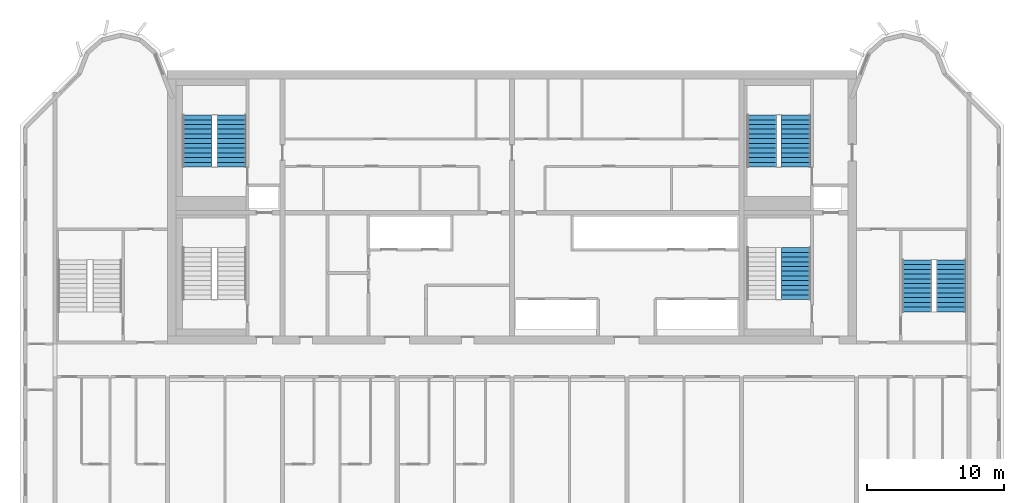
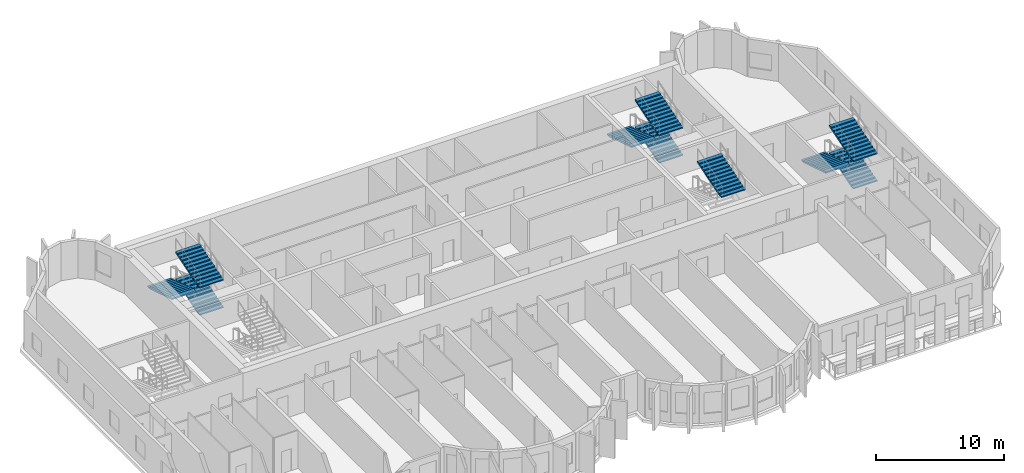
# One storey, part 9 of 11: 10 stair flights, 4 elements without a shape of their own.
"""IFC4 building model written with IfcOpenShell, lengths in metres."""

from ifc_helpers import new_model, si_unit, direction, frame, origin, place, context, subcontext, project, spatial, polyline, outline, extrude, source, transform, mapped, material, type_object, element, aggregate, save


model = new_model("IFC4")

# Units and contexts
model_context = context("Model", 3, precision=1e-05, world=origin(), true_north=direction((0.0, 1.0)))
body_context = subcontext(model_context, "Body", "Model", "MODEL_VIEW")
ifc_project = project(units=[si_unit("LENGTHUNIT", "METRE"), si_unit("AREAUNIT", "SQUARE_METRE"), si_unit("VOLUMEUNIT", "CUBIC_METRE"), si_unit("PLANEANGLEUNIT", "RADIAN"), si_unit("MASSUNIT", "GRAM", prefix="KILO")], contexts=[model_context])

# Site, building, storey
site_placement = place(None, origin())
site = spatial("IfcSite", under=ifc_project, at=site_placement, CompositionType="ELEMENT")
building_placement = place(site_placement, origin())
building = spatial("IfcBuilding", under=site, at=building_placement, Name="Vanashikhar Sky Hotel", CompositionType="ELEMENT")
storey_placement = place(building_placement, frame((0.0, 0.0, 245.199951171875)))
storey = spatial("IfcBuildingStorey", under=building, at=storey_placement, Name="L59", CompositionType="ELEMENT", Elevation=245.199951171875)

# Stair, stair flight
ifc_material = material(Name="Concrete M40", Category="concrete")
stair_type = type_object("IfcStairType", Name="Exit stair 2150", PredefinedType="DOUBLE_RETURN_STAIR", material=ifc_material)
stair_1_placement = place(storey_placement, origin())
stair_1 = element("IfcStair", 1, at=stair_1_placement, inside=storey, type_object=stair_type, Name="L59 Exit stair 2", PredefinedType="DOUBLE_RETURN_STAIR")
stair_flight_type = type_object("IfcStairFlightType", Name="Stair flight 2150", PredefinedType="STRAIGHT", material=ifc_material)
shared_shape = source(origin(), body_context, "Body", "SweptSolid", [
    extrude(outline(polyline([(0.0, 0.0), (0.0, 0.1083984375), (0.345458984375, 0.1083984375), (0.345458984375, 0.216552734375), (0.69091796875, 0.216552734375), (0.69091796875, 0.324951171875), (1.036376953125, 0.324951171875), (1.036376953125, 0.433349609375), (1.3818359375, 0.433349609375), (1.3818359375, 0.541748046875), (1.727294921875, 0.541748046875), (1.727294921875, 0.64990234375), (2.07275390625, 0.64990234375), (2.07275390625, 0.75830078125), (2.418212890625, 0.75830078125), (2.418212890625, 0.86669921875), (2.763671875, 0.86669921875), (2.763671875, 0.97509765625), (3.109130859375, 0.97509765625), (3.109130859375, 1.083251953125), (3.45458984375, 1.083251953125), (3.45458984375, 1.191650390625), (3.800048828125, 1.191650390625), (3.800048828125, 1.300048828125), (3.800048828125, 1.065673828125), (0.4013671875, 0.0), (0.0, 0.0)])), frame((0.0, 1.074951171875, 0.0), z_axis=(0.0, -1.0, 0.0), x_axis=(1.0, 0.0, 0.0)), (0.0, 0.0, 1.0), 2.14990234375),
])
stair_flight_1_placement = place(storey_placement, frame((71.175048828125, 25.25, 2.60009765625), z_axis=(0.0, 0.0, 1.0), x_axis=(0.0, 1.0, 0.0)))
stair_flight_1 = element("IfcStairFlight", 2, at=stair_flight_1_placement, type_object=stair_flight_type, Name="ST-C2 flight 3", NumberOfRisers=12, NumberOfTreads=11, PredefinedType="STRAIGHT", RiserHeight=0.108333333, TreadLength=0.345454545, context=body_context, shape_type="MappedRepresentation", body=[
    mapped(shared_shape, transform((0.0, 0.0, 0.0), scale=1.0)),
])
aggregate(stair_1, [stair_flight_1])

# Stair, stair flights
stair_2_placement = place(storey_placement, origin())
stair_2 = element("IfcStair", 3, at=stair_2_placement, inside=storey, type_object=stair_type, Name="L59 Exit stair 4", PredefinedType="DOUBLE_RETURN_STAIR")
stair_flight_2_placement = place(storey_placement, frame((82.52490234375, 24.35009765625, 0.0), z_axis=(0.0, 0.0, 1.0), x_axis=(0.0, 1.0, 0.0)))
stair_flight_2 = element("IfcStairFlight", 4, at=stair_flight_2_placement, type_object=stair_flight_type, Name="ST-E flight 1", NumberOfRisers=12, NumberOfTreads=11, PredefinedType="STRAIGHT", RiserHeight=0.108333333, TreadLength=0.345454545, context=body_context, shape_type="MappedRepresentation", body=[
    mapped(shared_shape, transform((0.0, 0.0, 0.0), scale=1.0)),
])
stair_flight_3_placement = place(storey_placement, frame((80.02490234375, 28.14990234375, 1.300048828125), z_axis=(0.0, 0.0, 1.0), x_axis=(0.0, -1.0, 0.0)))
stair_flight_3 = element("IfcStairFlight", 5, at=stair_flight_3_placement, type_object=stair_flight_type, Name="ST-E flight 2", NumberOfRisers=12, NumberOfTreads=11, PredefinedType="STRAIGHT", RiserHeight=0.108333333, TreadLength=0.345454545, context=body_context, shape_type="MappedRepresentation", body=[
    mapped(shared_shape, transform((0.0, 0.0, 0.0), scale=1.0)),
])
stair_flight_4_placement = place(storey_placement, frame((82.52490234375, 24.35009765625, 2.60009765625), z_axis=(0.0, 0.0, 1.0), x_axis=(0.0, 1.0, 0.0)))
stair_flight_4 = element("IfcStairFlight", 6, at=stair_flight_4_placement, type_object=stair_flight_type, Name="ST-E flight 3", NumberOfRisers=12, NumberOfTreads=11, PredefinedType="STRAIGHT", RiserHeight=0.108333333, TreadLength=0.345454545, context=body_context, shape_type="MappedRepresentation", body=[
    mapped(shared_shape, transform((0.0, 0.0, 0.0), scale=1.0)),
])
aggregate(stair_2, [stair_flight_2, stair_flight_3, stair_flight_4])

stair_3_placement = place(storey_placement, origin())
stair_3 = element("IfcStair", 7, at=stair_3_placement, inside=storey, type_object=stair_type, Name="L59 Exit stair 5", PredefinedType="DOUBLE_RETURN_STAIR")
stair_flight_5_placement = place(storey_placement, frame((29.875, 34.949951171875, 0.0), z_axis=(0.0, 0.0, 1.0), x_axis=(0.0, 1.0, 0.0)))
stair_flight_5 = element("IfcStairFlight", 8, at=stair_flight_5_placement, type_object=stair_flight_type, Name="ST-C3 flight 1", NumberOfRisers=12, NumberOfTreads=11, PredefinedType="STRAIGHT", RiserHeight=0.108333333, TreadLength=0.345454545, context=body_context, shape_type="MappedRepresentation", body=[
    mapped(shared_shape, transform((0.0, 0.0, 0.0), scale=1.0)),
])
stair_flight_6_placement = place(storey_placement, frame((27.375, 38.75, 1.300048828125), z_axis=(0.0, 0.0, 1.0), x_axis=(0.0, -1.0, 0.0)))
stair_flight_6 = element("IfcStairFlight", 9, at=stair_flight_6_placement, type_object=stair_flight_type, Name="ST-C3 flight 2", NumberOfRisers=12, NumberOfTreads=11, PredefinedType="STRAIGHT", RiserHeight=0.108333333, TreadLength=0.345454545, context=body_context, shape_type="MappedRepresentation", body=[
    mapped(shared_shape, transform((0.0, 0.0, 0.0), scale=1.0)),
])
stair_flight_7_placement = place(storey_placement, frame((29.875, 34.949951171875, 2.60009765625), z_axis=(0.0, 0.0, 1.0), x_axis=(0.0, 1.0, 0.0)))
stair_flight_7 = element("IfcStairFlight", 10, at=stair_flight_7_placement, type_object=stair_flight_type, Name="ST-C3 flight 3", NumberOfRisers=12, NumberOfTreads=11, PredefinedType="STRAIGHT", RiserHeight=0.108333333, TreadLength=0.345454545, context=body_context, shape_type="MappedRepresentation", body=[
    mapped(shared_shape, transform((0.0, 0.0, 0.0), scale=1.0)),
])
aggregate(stair_3, [stair_flight_5, stair_flight_6, stair_flight_7])

stair_4_placement = place(storey_placement, origin())
stair_4 = element("IfcStair", 11, at=stair_4_placement, inside=storey, type_object=stair_type, Name="L59 Exit stair 6", PredefinedType="DOUBLE_RETURN_STAIR")
stair_flight_8_placement = place(storey_placement, frame((71.175048828125, 34.949951171875, 0.0), z_axis=(0.0, 0.0, 1.0), x_axis=(0.0, 1.0, 0.0)))
stair_flight_8 = element("IfcStairFlight", 12, at=stair_flight_8_placement, type_object=stair_flight_type, Name="ST-C4 flight 1", NumberOfRisers=12, NumberOfTreads=11, PredefinedType="STRAIGHT", RiserHeight=0.108333333, TreadLength=0.345454545, context=body_context, shape_type="MappedRepresentation", body=[
    mapped(shared_shape, transform((0.0, 0.0, 0.0), scale=1.0)),
])
stair_flight_9_placement = place(storey_placement, frame((68.675048828125, 38.75, 1.300048828125), z_axis=(0.0, 0.0, 1.0), x_axis=(0.0, -1.0, 0.0)))
stair_flight_9 = element("IfcStairFlight", 13, at=stair_flight_9_placement, type_object=stair_flight_type, Name="ST-C4 flight 2", NumberOfRisers=12, NumberOfTreads=11, PredefinedType="STRAIGHT", RiserHeight=0.108333333, TreadLength=0.345454545, context=body_context, shape_type="MappedRepresentation", body=[
    mapped(shared_shape, transform((0.0, 0.0, 0.0), scale=1.0)),
])
stair_flight_10_placement = place(storey_placement, frame((71.175048828125, 34.949951171875, 2.60009765625), z_axis=(0.0, 0.0, 1.0), x_axis=(0.0, 1.0, 0.0)))
stair_flight_10 = element("IfcStairFlight", 14, at=stair_flight_10_placement, type_object=stair_flight_type, Name="ST-C4 flight 3", NumberOfRisers=12, NumberOfTreads=11, PredefinedType="STRAIGHT", RiserHeight=0.108333333, TreadLength=0.345454545, context=body_context, shape_type="MappedRepresentation", body=[
    mapped(shared_shape, transform((0.0, 0.0, 0.0), scale=1.0)),
])
aggregate(stair_4, [stair_flight_8, stair_flight_9, stair_flight_10])

save(model, "model.ifc")
